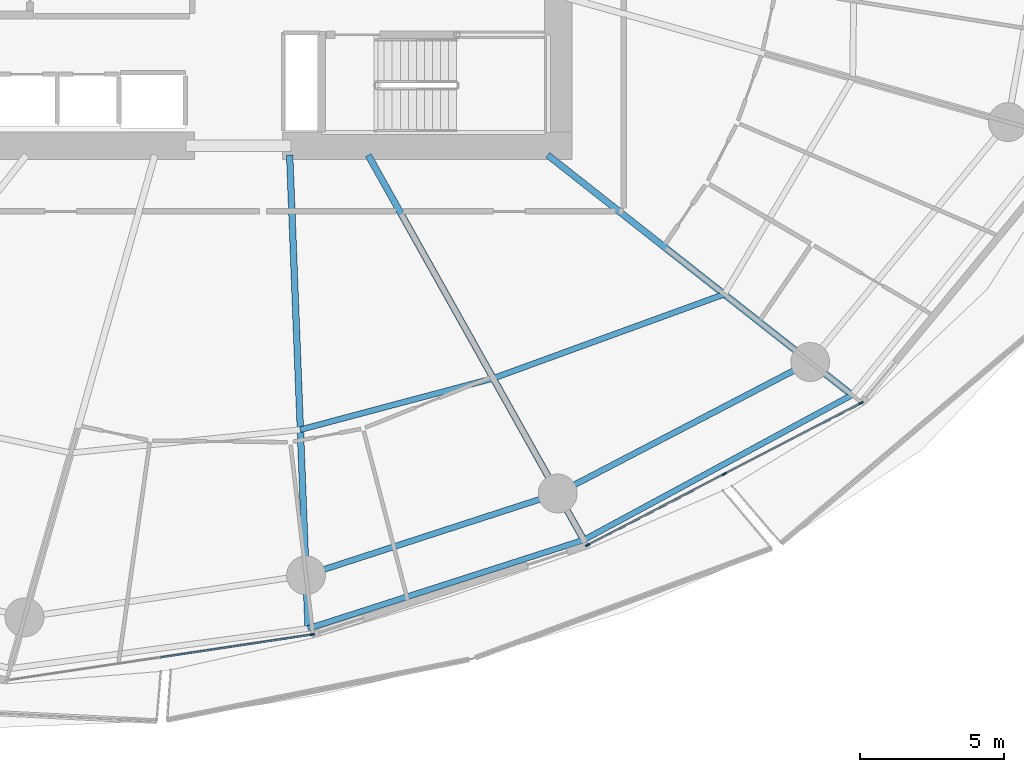
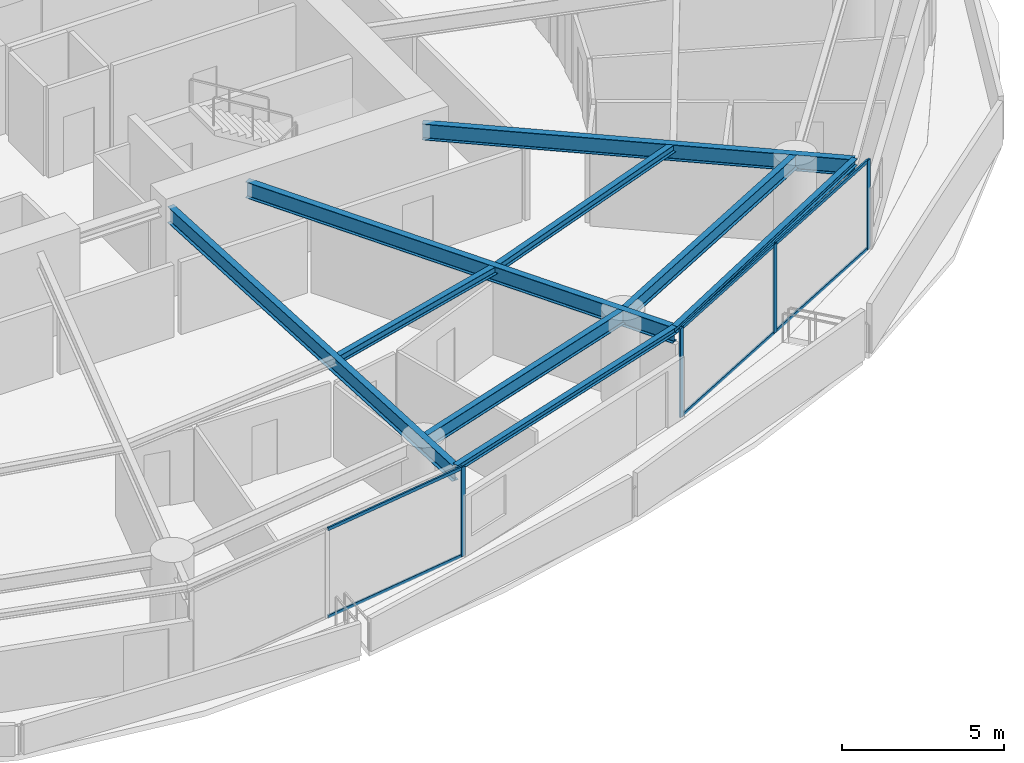
# One storey, part 9 of 31: 10 members, 9 beams, 2 elements without a shape of their own.
"""IFC4 building model written with IfcOpenShell, lengths in metres."""

from ifc_helpers import new_model, si_unit, direction, frame, origin, origin_2d, place, context, subcontext, project, spatial, rectangle, i_section, extrude, material, layer, layer_set, material_profile, profile_set, type_object, element, aggregate, save


model = new_model("IFC4")

# Units and contexts
model_context = context("Model", 3, precision=1e-05, world=origin(), true_north=direction((0.0, 1.0)))
body_context = subcontext(model_context, "Body", "Model", "MODEL_VIEW")
ifc_project = project(units=[si_unit("LENGTHUNIT", "METRE"), si_unit("AREAUNIT", "SQUARE_METRE"), si_unit("VOLUMEUNIT", "CUBIC_METRE"), si_unit("PLANEANGLEUNIT", "RADIAN"), si_unit("MASSUNIT", "GRAM", prefix="KILO")], contexts=[model_context])

# Site, building, storey
site_placement = place(None, origin())
site = spatial("IfcSite", under=ifc_project, at=site_placement, CompositionType="ELEMENT")
building_placement = place(site_placement, origin())
building = spatial("IfcBuilding", under=site, at=building_placement, Name="Kazma Halo Residences", CompositionType="ELEMENT")
storey_placement = place(building_placement, frame((0.0, 0.0, 67.64990234375)))
storey = spatial("IfcBuildingStorey", under=building, at=storey_placement, Name="L16", CompositionType="ELEMENT", Elevation=67.64990234375)

# Beams
ifc_material_1 = material(Name="Steel S355", Category="steel")
ifc_material_profile_1 = material_profile(ifc_material_1, i_section(OverallWidth=0.201904296875, OverallDepth=0.2470703125, WebThickness=0.00732421875, FlangeThickness=0.010986328125, FilletRadius=0.011962890625, at=origin_2d()), Name="W250x49.1")
ifc_profile_set_1 = profile_set([ifc_material_profile_1], Name="Steel S355")
beam_type_1 = type_object("IfcBeamType", Name="BM-BAL-CANT", PredefinedType="BEAM", material=ifc_profile_set_1)
beam_1_placement = place(storey_placement, frame((50.84033203125, 16.761962890625, 3.2265625), z_axis=(0.952101049535, 0.305783569662, 0.0), x_axis=(-0.305783569662, 0.952101049535, 0.0)))
element("IfcBeam", 1, at=beam_1_placement, inside=storey, type_object=beam_type_1, Name="L16 wave-balcony tie beam 12", PredefinedType="BEAM", context=body_context, shape_type="SweptSolid", body=[
    extrude(i_section(OverallWidth=0.201904296875, OverallDepth=0.2470703125, WebThickness=0.00732421875, FlangeThickness=0.010986328125, FilletRadius=0.011962890625, at=origin_2d()), origin(), (0.0, 0.0, 1.0), 10.053466796875),
])
beam_2_placement = place(storey_placement, frame((60.412353515625, 19.836181640625, 3.2265625), z_axis=(0.879759421466, 0.47541914175, 0.0), x_axis=(-0.47541914175, 0.879759421466, 0.0)))
element("IfcBeam", 2, at=beam_2_placement, inside=storey, type_object=beam_type_1, Name="L16 wave-balcony tie beam 13", PredefinedType="BEAM", context=body_context, shape_type="SweptSolid", body=[
    extrude(i_section(OverallWidth=0.201904296875, OverallDepth=0.2470703125, WebThickness=0.00732421875, FlangeThickness=0.010986328125, FilletRadius=0.011962890625, at=origin_2d()), origin(), (0.0, 0.0, 1.0), 10.58935546875),
])
ifc_material_profile_2 = material_profile(ifc_material_1, i_section(OverallWidth=0.22802734375, OverallDepth=0.60791015625, WebThickness=0.01123046875, FlangeThickness=0.017333984375, FilletRadius=0.01806640625, at=origin_2d()), Name="W610x113")
ifc_profile_set_2 = profile_set([ifc_material_profile_2], Name="Steel S355")
beam_type_2 = type_object("IfcBeamType", Name="BM-RAD-W610", PredefinedType="BEAM", material=ifc_profile_set_2)
beam_3_placement = place(storey_placement, frame((50.199951171875, 33.199951171875, 3.046142578125), z_axis=(0.038927845379, -0.999242024163, 0.0), x_axis=(0.999242024163, 0.038927845379, 0.0)))
element("IfcBeam", 3, at=beam_3_placement, inside=storey, type_object=beam_type_2, Name="L16 radial floor beam 12", PredefinedType="BEAM", context=body_context, shape_type="SweptSolid", body=[
    extrude(i_section(OverallWidth=0.22802734375, OverallDepth=0.60791015625, WebThickness=0.01123046875, FlangeThickness=0.017333984375, FilletRadius=0.01806640625, at=origin_2d()), origin(), (0.0, 0.0, 1.0), 16.450439453125),
])
beam_4_placement = place(storey_placement, frame((52.92822265625, 33.199951171875, 3.046142578125), z_axis=(0.488624239587, -0.872494328055, 0.0), x_axis=(0.872494328055, 0.488624239587, 0.0)))
element("IfcBeam", 4, at=beam_4_placement, inside=storey, type_object=beam_type_2, Name="L16 radial floor beam 13", PredefinedType="BEAM", context=body_context, shape_type="SweptSolid", body=[
    extrude(i_section(OverallWidth=0.22802734375, OverallDepth=0.60791015625, WebThickness=0.01123046875, FlangeThickness=0.017333984375, FilletRadius=0.01806640625, at=origin_2d()), origin(), (0.0, 0.0, 1.0), 15.316650390625),
])
beam_5_placement = place(storey_placement, frame((59.16259765625, 33.199951171875, 3.046142578125), z_axis=(0.785322437877, -0.619086963655, 0.0), x_axis=(0.619086963655, 0.785322437877, 0.0)))
element("IfcBeam", 5, at=beam_5_placement, inside=storey, type_object=beam_type_2, Name="L16 radial floor beam 14", PredefinedType="BEAM", context=body_context, shape_type="SweptSolid", body=[
    extrude(i_section(OverallWidth=0.22802734375, OverallDepth=0.60791015625, WebThickness=0.01123046875, FlangeThickness=0.017333984375, FilletRadius=0.01806640625, at=origin_2d()), origin(), (0.0, 0.0, 1.0), 13.454345703125),
])
ifc_material_profile_3 = material_profile(ifc_material_1, i_section(OverallWidth=0.202880859375, OverallDepth=0.302978515625, WebThickness=0.007568359375, FlangeThickness=0.01318359375, FilletRadius=0.013916015625, at=origin_2d()), Name="W310x60")
ifc_profile_set_3 = profile_set([ifc_material_profile_3], Name="Steel S355")
beam_type_3 = type_object("IfcBeamType", Name="BM-SEC-W310A", PredefinedType="JOIST", material=ifc_profile_set_3)
beam_6_placement = place(storey_placement, frame((50.5712890625, 23.666015625, 3.198486328125), z_axis=(0.966337757832, 0.257276772735, 0.0), x_axis=(-0.257276772735, 0.966337757832, 0.0)))
element("IfcBeam", 6, at=beam_6_placement, inside=storey, type_object=beam_type_3, Name="L16 circumferential floor joist 12", PredefinedType="JOIST", context=body_context, shape_type="SweptSolid", body=[
    extrude(i_section(OverallWidth=0.202880859375, OverallDepth=0.302978515625, WebThickness=0.007568359375, FlangeThickness=0.01318359375, FilletRadius=0.013916015625, at=origin_2d()), origin(), (0.0, 0.0, 1.0), 6.93115234375),
])
beam_7_placement = place(storey_placement, frame((57.26904296875, 25.44921875, 3.198486328125), z_axis=(0.939695690299, 0.34201170979, 0.0), x_axis=(-0.34201170979, 0.939695690299, 0.0)))
element("IfcBeam", 7, at=beam_7_placement, inside=storey, type_object=beam_type_3, Name="L16 circumferential floor joist 13", PredefinedType="JOIST", context=body_context, shape_type="SweptSolid", body=[
    extrude(i_section(OverallWidth=0.202880859375, OverallDepth=0.302978515625, WebThickness=0.007568359375, FlangeThickness=0.01318359375, FilletRadius=0.013916015625, at=origin_2d()), origin(), (0.0, 0.0, 1.0), 8.536865234375),
])
ifc_material_profile_4 = material_profile(ifc_material_1, i_section(OverallWidth=0.208984375, OverallDepth=0.532958984375, WebThickness=0.01025390625, FlangeThickness=0.015625, FilletRadius=0.01611328125, at=origin_2d()), Name="W530x92")
ifc_profile_set_4 = profile_set([ifc_material_profile_4], Name="Steel S355")
beam_type_4 = type_object("IfcBeamType", Name="BM-SPN-W530", PredefinedType="BEAM", material=ifc_profile_set_4)
beam_8_placement = place(storey_placement, frame((50.768310546875, 18.610595703125, 3.08349609375), z_axis=(0.951054956346, 0.309021795363, 0.0), x_axis=(-0.309021795363, 0.951054956346, 0.0)))
element("IfcBeam", 8, at=beam_8_placement, inside=storey, type_object=beam_type_4, Name="L16 perimeter ring beam 12", PredefinedType="BEAM", context=body_context, shape_type="SweptSolid", body=[
    extrude(i_section(OverallWidth=0.208984375, OverallDepth=0.532958984375, WebThickness=0.01025390625, FlangeThickness=0.015625, FilletRadius=0.01611328125, at=origin_2d()), origin(), (0.0, 0.0, 1.0), 9.189697265625),
])
beam_9_placement = place(storey_placement, frame((59.50830078125, 21.450439453125, 3.08349609375), z_axis=(0.886956241699, 0.461853467358, 0.0), x_axis=(-0.461853467358, 0.886956241699, 0.0)))
element("IfcBeam", 9, at=beam_9_placement, inside=storey, type_object=beam_type_4, Name="L16 perimeter ring beam 13", PredefinedType="BEAM", context=body_context, shape_type="SweptSolid", body=[
    extrude(i_section(OverallWidth=0.208984375, OverallDepth=0.532958984375, WebThickness=0.01025390625, FlangeThickness=0.015625, FilletRadius=0.01611328125, at=origin_2d()), origin(), (0.0, 0.0, 1.0), 9.885009765625),
])

# Curtain wall, member
ifc_material_2 = material(Name="Aluminium AW-6063 T6 and Triple-Silver Low-E Glass", Category="aluminium")
ifc_layer = layer(ifc_material_2, 0.159912109375)
ifc_layer_set = layer_set([ifc_layer], Name="Aluminium AW-6063 T6 and Triple-Silver Low-E Glass")
curtain_wall_type = type_object("IfcCurtainWallType", Name="CW-SYS-2", PredefinedType="NOTDEFINED", material=ifc_layer_set)
curtain_wall_1_placement = place(storey_placement, origin())
curtain_wall_1 = element("IfcCurtainWall", 10, at=curtain_wall_1_placement, inside=storey, type_object=curtain_wall_type, Name="L16 unitised curtain wall B11", PredefinedType="NOTDEFINED")
ifc_material_3 = material(Name="Aluminium AW-6063 T6", Category="aluminium")
ifc_material_profile_5 = material_profile(ifc_material_3, rectangle(XDim=0.06005859375, YDim=0.159912109375, at=origin_2d()), Name="CWM-60x160")
ifc_profile_set_5 = profile_set([ifc_material_profile_5], Name="Aluminium AW-6063 T6")
member_type_1 = type_object("IfcMemberType", Name="CW-SYS-2-MUL", PredefinedType="MULLION", material=ifc_profile_set_5)
member_1_placement = place(storey_placement, frame((50.981689453125, 16.552490234375, 0.0), z_axis=(0.0, 0.0, 1.0), x_axis=(-0.148657272805, 0.988888777994, 0.0)))
member_1 = element("IfcMember", 11, at=member_1_placement, type_object=member_type_1, Name="CWS-2 mullion 3", PredefinedType="MULLION", context=body_context, shape_type="SweptSolid", body=[
    extrude(rectangle(XDim=0.06005859375, YDim=0.159912109375, at=origin_2d()), origin(), (0.0, 0.0, 1.0), 3.35009765625),
])

# Curtain wall, members
curtain_wall_2_placement = place(storey_placement, origin())
curtain_wall_2 = element("IfcCurtainWall", 12, at=curtain_wall_2_placement, inside=storey, type_object=curtain_wall_type, Name="L16 unitised curtain wall B13", PredefinedType="NOTDEFINED")
member_2_placement = place(storey_placement, frame((60.54541015625, 19.659912109375, 0.0), z_axis=(0.0, 0.0, 1.0), x_axis=(-0.460995912628, 0.887402258584, 0.0)))
member_2 = element("IfcMember", 13, at=member_2_placement, type_object=member_type_1, Name="CWS-2 mullion 1", PredefinedType="MULLION", context=body_context, shape_type="SweptSolid", body=[
    extrude(rectangle(XDim=0.06005859375, YDim=0.159912109375, at=origin_2d()), origin(), (0.0, 0.0, 1.0), 3.35009765625),
])
member_3_placement = place(storey_placement, frame((65.2919921875, 22.125732421875, 0.0), z_axis=(0.0, 0.0, 1.0), x_axis=(-0.460995912628, 0.887402258584, 0.0)))
member_3 = element("IfcMember", 14, at=member_3_placement, type_object=member_type_1, Name="CWS-2 mullion 2", PredefinedType="MULLION", context=body_context, shape_type="SweptSolid", body=[
    extrude(rectangle(XDim=0.06005859375, YDim=0.159912109375, at=origin_2d()), origin(), (0.0, 0.0, 1.0), 3.35009765625),
])
member_4_placement = place(storey_placement, frame((70.03857421875, 24.591552734375, 0.0), z_axis=(0.0, 0.0, 1.0), x_axis=(-0.460995912628, 0.887402258584, 0.0)))
member_4 = element("IfcMember", 15, at=member_4_placement, type_object=member_type_1, Name="CWS-2 mullion 3", PredefinedType="MULLION", context=body_context, shape_type="SweptSolid", body=[
    extrude(rectangle(XDim=0.06005859375, YDim=0.159912109375, at=origin_2d()), origin(), (0.0, 0.0, 1.0), 3.35009765625),
])

# Member
ifc_material_profile_6 = material_profile(ifc_material_3, rectangle(XDim=0.06005859375, YDim=0.1201171875, at=origin_2d()), Name="CWT-60x120")
ifc_profile_set_6 = profile_set([ifc_material_profile_6], Name="Aluminium AW-6063 T6")
member_type_2 = type_object("IfcMemberType", Name="CW-SYS-2-TRN", PredefinedType="USERDEFINED", material=ifc_profile_set_6)
member_5_placement = place(storey_placement, frame((45.721923828125, 15.761962890625, 0.030029296875), z_axis=(0.98889195415, 0.148636143041, 0.0), x_axis=(-0.148636143041, 0.98889195415, 0.0)))
member_5 = element("IfcMember", 16, at=member_5_placement, type_object=member_type_2, Name="CWS-2 transom 2.1", ObjectType="TRANSOM", PredefinedType="USERDEFINED", context=body_context, shape_type="SweptSolid", body=[
    extrude(rectangle(XDim=0.06005859375, YDim=0.1201171875, at=origin_2d()), origin(), (0.0, 0.0, 1.0), 5.2890625),
])

member_6_placement = place(storey_placement, frame((45.721923828125, 15.761962890625, 3.320068359375), z_axis=(0.98889195415, 0.148636143041, 0.0), x_axis=(-0.148636143041, 0.98889195415, 0.0)))
member_6 = element("IfcMember", 17, at=member_6_placement, type_object=member_type_2, Name="CWS-2 transom 2.2", ObjectType="TRANSOM", PredefinedType="USERDEFINED", context=body_context, shape_type="SweptSolid", body=[
    extrude(rectangle(XDim=0.06005859375, YDim=0.1201171875, at=origin_2d()), origin(), (0.0, 0.0, 1.0), 5.2890625),
])

aggregate(curtain_wall_1, [member_1, member_5, member_6])

member_7_placement = place(storey_placement, frame((60.572021484375, 19.673828125, 0.030029296875), z_axis=(0.887414738583, 0.460971888238, 0.0), x_axis=(-0.460971888238, 0.887414738583, 0.0)))
member_7 = element("IfcMember", 18, at=member_7_placement, type_object=member_type_2, Name="CWS-2 transom 1.1", ObjectType="TRANSOM", PredefinedType="USERDEFINED", context=body_context, shape_type="SweptSolid", body=[
    extrude(rectangle(XDim=0.06005859375, YDim=0.1201171875, at=origin_2d()), origin(), (0.0, 0.0, 1.0), 5.288818359375),
])

member_8_placement = place(storey_placement, frame((60.572021484375, 19.673828125, 3.320068359375), z_axis=(0.887414738583, 0.460971888238, 0.0), x_axis=(-0.460971888238, 0.887414738583, 0.0)))
member_8 = element("IfcMember", 19, at=member_8_placement, type_object=member_type_2, Name="CWS-2 transom 1.2", ObjectType="TRANSOM", PredefinedType="USERDEFINED", context=body_context, shape_type="SweptSolid", body=[
    extrude(rectangle(XDim=0.06005859375, YDim=0.1201171875, at=origin_2d()), origin(), (0.0, 0.0, 1.0), 5.288818359375),
])

member_9_placement = place(storey_placement, frame((65.318603515625, 22.1396484375, 0.030029296875), z_axis=(0.887414738583, 0.460971888238, 0.0), x_axis=(-0.460971888238, 0.887414738583, 0.0)))
member_9 = element("IfcMember", 20, at=member_9_placement, type_object=member_type_2, Name="CWS-2 transom 2.1", ObjectType="TRANSOM", PredefinedType="USERDEFINED", context=body_context, shape_type="SweptSolid", body=[
    extrude(rectangle(XDim=0.06005859375, YDim=0.1201171875, at=origin_2d()), origin(), (0.0, 0.0, 1.0), 5.288818359375),
])

member_10_placement = place(storey_placement, frame((65.318603515625, 22.1396484375, 3.320068359375), z_axis=(0.887414738583, 0.460971888238, 0.0), x_axis=(-0.460971888238, 0.887414738583, 0.0)))
member_10 = element("IfcMember", 21, at=member_10_placement, type_object=member_type_2, Name="CWS-2 transom 2.2", ObjectType="TRANSOM", PredefinedType="USERDEFINED", context=body_context, shape_type="SweptSolid", body=[
    extrude(rectangle(XDim=0.06005859375, YDim=0.1201171875, at=origin_2d()), origin(), (0.0, 0.0, 1.0), 5.288818359375),
])

aggregate(curtain_wall_2, [member_2, member_3, member_4, member_7, member_8, member_9, member_10])

save(model, "model.ifc")
